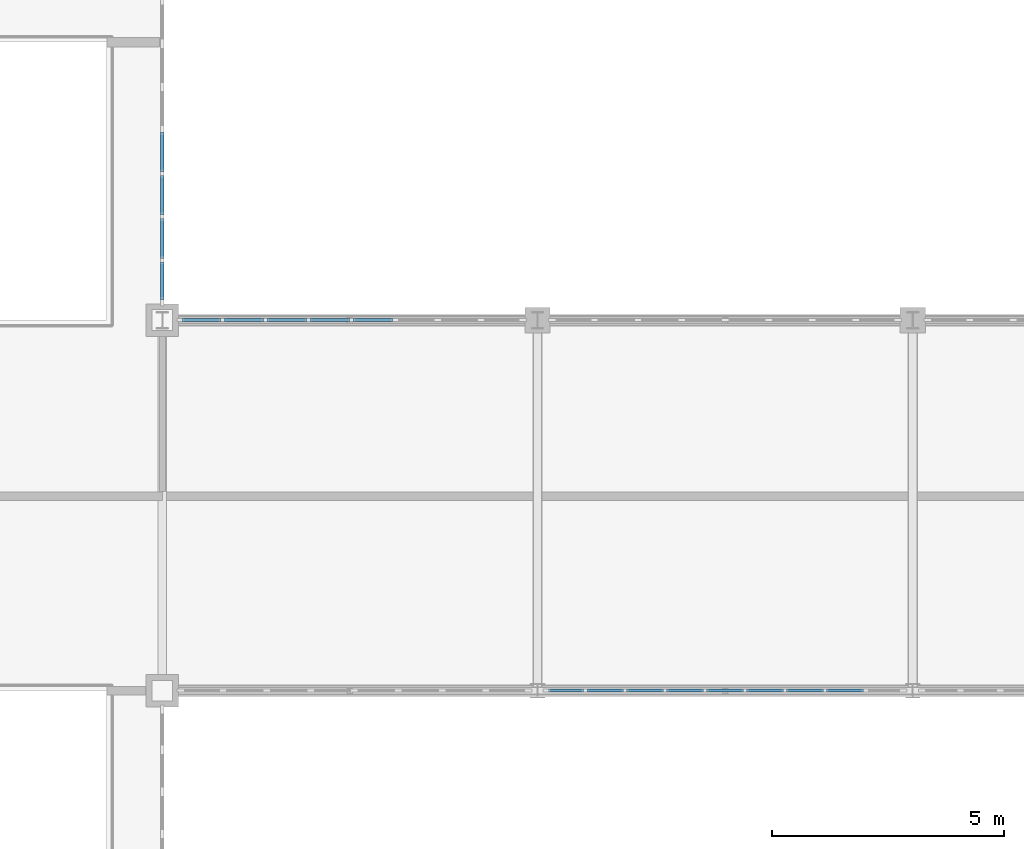
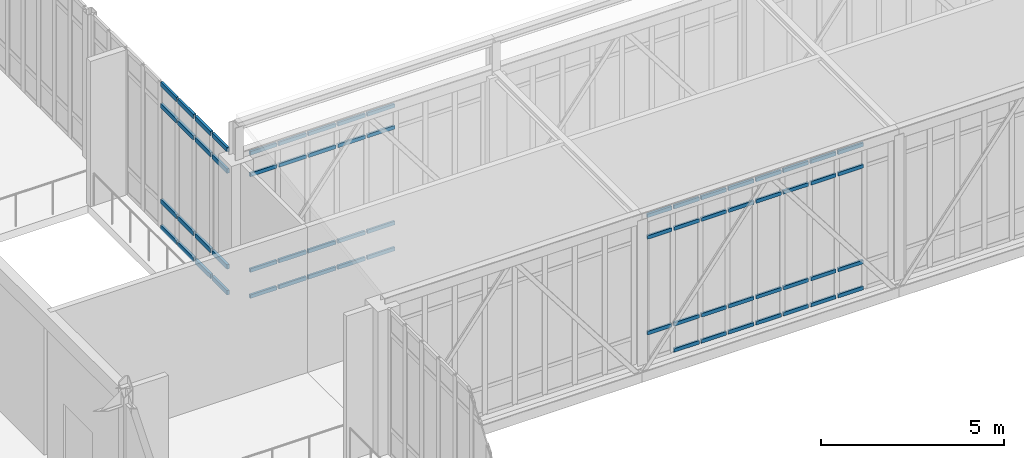
# One storey, part 53 of 107: 67 members, 3 elements without a shape of their own.
"""IFC4 building model written with IfcOpenShell, lengths in metres."""

import ifcopenshell
import ifcopenshell.guid

model = None  # the IFC model being written
_history = None  # IfcOwnerHistory: only IFC2X3 demands one
_inside = {}  # id of a spatial element -> (the spatial element, [elements in it])
_under = {}  # id of a project, library or spatial element -> (it, [spatial elements below it])
_declared = {}  # id of a project -> (the project, [libraries it declares])
_typed = {}  # id of a type object -> (the type object, [elements of that type])
_made_of = {}  # id of a material, layer set ... -> (it, [elements and type objects made of it])


def new_model(schema):
    """Start an empty IFC model of exactly this schema.

    Asked for "IFC4X3", IfcOpenShell would pick the latest addendum, in which some entities
    have other attributes; the version numbers below select the first issue.
    IFC2X3 requires an IfcOwnerHistory on every rooted entity: one is made here for all.
    """
    global model, _history
    if schema == "IFC4X3":
        model = ifcopenshell.file(schema_version=(4, 3, 0, 0))
    else:
        model = ifcopenshell.file(schema=schema)
    _inside.clear()
    _under.clear()
    _declared.clear()
    _typed.clear()
    _made_of.clear()
    _history = None
    if model.schema == "IFC2X3":
        org = make("IfcOrganization", Name="unknown")
        user = make(
            "IfcPersonAndOrganization",
            ThePerson=make("IfcPerson", FamilyName="unknown"),
            TheOrganization=org,
        )
        app = make(
            "IfcApplication",
            ApplicationDeveloper=org,
            Version="unknown",
            ApplicationFullName="unknown",
            ApplicationIdentifier="unknown",
        )
        _history = make(
            "IfcOwnerHistory",
            OwningUser=user,
            OwningApplication=app,
            ChangeAction="ADDED",
            CreationDate=0,
        )
    return model


def make(cls, **values):
    """One entity of the class cls with the attributes given. An attribute that is None is left unset."""
    return model.create_entity(
        cls, **{name: value for name, value in values.items() if value is not None}
    )


def rooted(cls, **values):
    """An entity with a GlobalId (a new one), such as an element, a storey or a relation."""
    return make(cls, GlobalId=ifcopenshell.guid.new(), OwnerHistory=_history, **values)


def si_unit(unit_type, name, prefix=None):
    """IfcSIUnit, for example si_unit("LENGTHUNIT", "METRE", prefix="MILLI")."""
    return make("IfcSIUnit", UnitType=unit_type, Prefix=prefix, Name=name)


def assignment(units):
    """IfcUnitAssignment: the units of a project."""
    return None if units is None else make("IfcUnitAssignment", Units=units)


def point(xyz):
    """IfcCartesianPoint."""
    return None if xyz is None else make("IfcCartesianPoint", Coordinates=xyz)


def direction(xyz):
    """IfcDirection."""
    return None if xyz is None else make("IfcDirection", DirectionRatios=xyz)


def frame(location, z_axis=None, x_axis=None):
    """IfcAxis2Placement3D, a coordinate frame: its origin and axes. An axis left out is left unset."""
    return make(
        "IfcAxis2Placement3D",
        Location=point(location),
        Axis=direction(z_axis),
        RefDirection=direction(x_axis),
    )


def frame_2d(location, x_axis=None):
    """IfcAxis2Placement2D, a coordinate frame in the plane: its origin and x axis."""
    return make(
        "IfcAxis2Placement2D", Location=point(location), RefDirection=direction(x_axis)
    )


def origin():
    """The frame at (0, 0, 0) with its axes left unset."""
    return frame((0.0, 0.0, 0.0))


def origin_2d():
    """The frame at (0, 0) in the plane with its x axis left unset."""
    return frame_2d((0.0, 0.0))


def place(relative_to, where):
    """IfcLocalPlacement: puts the frame where relative to a parent placement (None: the world)."""
    return make(
        "IfcLocalPlacement", PlacementRelTo=relative_to, RelativePlacement=where
    )


def context(
    kind, dimensions, precision=None, world=None, true_north=None, identifier=None
):
    """IfcGeometricRepresentationContext, for example the 3D "Model" context."""
    return make(
        "IfcGeometricRepresentationContext",
        ContextIdentifier=identifier,
        ContextType=kind,
        CoordinateSpaceDimension=dimensions,
        Precision=precision,
        WorldCoordinateSystem=world,
        TrueNorth=true_north,
    )


def subcontext(parent, identifier, kind, view, scale=None):
    """IfcGeometricRepresentationSubContext, for example "Body" below "Model"."""
    return make(
        "IfcGeometricRepresentationSubContext",
        ContextIdentifier=identifier,
        ContextType=kind,
        ParentContext=parent,
        TargetScale=scale,
        TargetView=view,
    )


def project(units=None, contexts=None):
    """IfcProject with its units and contexts."""
    return rooted(
        "IfcProject",
        Name="project",
        RepresentationContexts=contexts,
        UnitsInContext=assignment(units),
    )


def spatial(cls, under=None, at=None, **own):
    """A site, building, storey or space (cls), placed at a placement, below another one or the project."""
    s = rooted(cls, ObjectPlacement=at, **own)
    if under is not None:
        _under.setdefault(under.id(), (under, []))[1].append(s)
    return s


def profile(cls, at=None, kind="AREA", **sizes):
    """A parametric profile (cls). Its sizes go by their IFC names, for example OverallWidth=200.0."""
    return make(cls, ProfileType=kind, Position=at, **sizes)


def rectangle(**sizes):
    """IfcRectangleProfileDef."""
    return profile("IfcRectangleProfileDef", **sizes)


def extrude(swept, where, along, depth):
    """IfcExtrudedAreaSolid: the profile swept, set in the frame where, extruded along a direction by depth."""
    return make(
        "IfcExtrudedAreaSolid",
        SweptArea=swept,
        Position=where,
        ExtrudedDirection=direction(along),
        Depth=depth,
    )


def shape(context_of_items, identifier, shape_type, items):
    """IfcShapeRepresentation: the items that make up one representation, for example the "Body"."""
    return make(
        "IfcShapeRepresentation",
        ContextOfItems=context_of_items,
        RepresentationIdentifier=identifier,
        RepresentationType=shape_type,
        Items=items,
    )


def material(Name=None, Category=None):
    """IfcMaterial."""
    return make("IfcMaterial", Name=Name, Category=Category)


def material_profile(
    of_material, cross_section, Name=None, Category=None, Priority=None
):
    """IfcMaterialProfile: a cross section and its material."""
    return make(
        "IfcMaterialProfile",
        Name=Name,
        Material=of_material,
        Profile=cross_section,
        Priority=Priority,
        Category=Category,
    )


def profile_set(profiles, Name=None, composite=None):
    """IfcMaterialProfileSet."""
    return make(
        "IfcMaterialProfileSet",
        Name=Name,
        MaterialProfiles=profiles,
        CompositeProfile=composite,
    )


def made_of(thing, what):
    """Note that an element or type object is made of a material, layer set ...; save() writes the relation."""
    if what is not None:
        _made_of.setdefault(what.id(), (what, []))[1].append(thing)
    return thing


def type_object(cls, material=None, **own):
    """A type object (cls), such as IfcWallType, which elements share."""
    return made_of(rooted(cls, **own), material)


def element(
    cls,
    number,
    at=None,
    inside=None,
    cuts=None,
    type_object=None,
    material=None,
    context=None,
    identifier="Body",
    shape_type=None,
    held_by="IfcProductDefinitionShape",
    body=None,
    shapes=None,
    **own,
):
    """One element of the class cls, such as IfcWall. Its Tag is "e" and its number.

    at: its placement. inside: the storey or other place that contains it. cuts: it is an
    opening in that element (IfcRelVoidsElement). A single representation is given by context,
    identifier, shape_type and body (its items); several are given by shapes. held_by: the class
    of the entity that holds the representations. save() writes the other relations.
    """
    e = rooted(cls, Tag="e%d" % number, ObjectPlacement=at, **own)
    if body is not None:
        shapes = [shape(context, identifier, shape_type, body)]
    if shapes is not None:
        e.Representation = make(held_by, Representations=shapes)
    if inside is not None:
        _inside.setdefault(inside.id(), (inside, []))[1].append(e)
    if cuts is not None:
        rooted(
            "IfcRelVoidsElement", RelatingBuildingElement=cuts, RelatedOpeningElement=e
        )
    if type_object is not None:
        _typed.setdefault(type_object.id(), (type_object, []))[1].append(e)
    return made_of(e, material)


def aggregate(whole, parts):
    """IfcRelAggregates: a whole, such as a stair, and the parts it consists of."""
    return rooted("IfcRelAggregates", RelatingObject=whole, RelatedObjects=parts)


def save(model, path):
    """Write the relations noted so far, then the file.

    IfcRelAggregates (storeys below a building ...), IfcRelContainedInSpatialStructure (elements
    in a storey), IfcRelDefinesByType, IfcRelAssociatesMaterial and IfcRelDeclares: one each for
    every whole, place, type object, material and project.
    """
    for whole, parts in _under.values():
        aggregate(whole, parts)
    for where, things in _inside.values():
        rooted(
            "IfcRelContainedInSpatialStructure",
            RelatedElements=things,
            RelatingStructure=where,
        )
    for kind, things in _typed.values():
        rooted("IfcRelDefinesByType", RelatedObjects=things, RelatingType=kind)
    for what, things in _made_of.values():
        rooted("IfcRelAssociatesMaterial", RelatedObjects=things, RelatingMaterial=what)
    for by, libraries in _declared.values():
        rooted("IfcRelDeclares", RelatingContext=by, RelatedDefinitions=libraries)
    model.write(path)


model = new_model("IFC4")

# Units and contexts
model_context = context("Model", 3, precision=1e-05, world=origin(), true_north=direction((0.0, 1.0)))
body_context = subcontext(model_context, "Body", "Model", "MODEL_VIEW")
ifc_project = project(units=[si_unit("LENGTHUNIT", "METRE"), si_unit("AREAUNIT", "SQUARE_METRE"), si_unit("VOLUMEUNIT", "CUBIC_METRE"), si_unit("PLANEANGLEUNIT", "RADIAN"), si_unit("MASSUNIT", "GRAM", prefix="KILO")], contexts=[model_context])

# Site, building, storey
site_placement = place(None, origin())
site = spatial("IfcSite", under=ifc_project, at=site_placement, CompositionType="ELEMENT")
building_placement = place(site_placement, origin())
building = spatial("IfcBuilding", under=site, at=building_placement, Name="Tarnveldt Square Police Headquarters", CompositionType="ELEMENT")
storey_placement = place(building_placement, frame((0.0, 0.0, 14.699951171875)))
storey = spatial("IfcBuildingStorey", under=building, at=storey_placement, Name="L03", CompositionType="ELEMENT", Elevation=14.699951171875)

# Curtain wall, members
ifc_material_1 = material(Name="Triple-glazed low-e laminated vision glass", Category="glass")
curtain_wall_type_1 = type_object("IfcCurtainWallType", Name="CW-SB-776x484", PredefinedType="USERDEFINED", material=ifc_material_1)
curtain_wall_1_placement = place(storey_placement, origin())
curtain_wall_1 = element("IfcCurtainWall", 1, at=curtain_wall_1_placement, inside=storey, type_object=curtain_wall_type_1, Name="L03 Curtain Wall CW-L03-153", ObjectType="GLAZED CURTAIN WALL", PredefinedType="USERDEFINED")
ifc_material_2 = material(Name="Thermally broken anodised aluminium 6063-T6", Category="aluminium")
ifc_material_profile_1 = material_profile(ifc_material_2, rectangle(XDim=0.06494140625, YDim=0.1201171875, at=origin_2d()), Name="CW-T65x120")
ifc_profile_set_1 = profile_set([ifc_material_profile_1], Name="Thermally broken anodised aluminium 6063-T6")
member_type_1 = type_object("IfcMemberType", Name="CWT-65x120", PredefinedType="USERDEFINED", material=ifc_profile_set_1)
member_1_placement = place(storey_placement, frame((56.93408203125, 72.0, 0.900146484375), z_axis=(1.0, 0.0, 0.0), x_axis=(0.0, 1.0, 0.0)))
member_1 = element("IfcMember", 2, at=member_1_placement, type_object=member_type_1, Name="CW-SB90 transom 1.2", ObjectType="TRANSOM", PredefinedType="USERDEFINED", context=body_context, shape_type="SweptSolid", body=[
    extrude(rectangle(XDim=0.06494140625, YDim=0.1201171875, at=origin_2d()), origin(), (0.0, 0.0, 1.0), 0.764892578125),
])
member_2_placement = place(storey_placement, frame((56.93408203125, 72.0, 4.090087890625), z_axis=(1.0, 0.0, 0.0), x_axis=(0.0, 1.0, 0.0)))
member_2 = element("IfcMember", 3, at=member_2_placement, type_object=member_type_1, Name="CW-SB90 transom 1.3", ObjectType="TRANSOM", PredefinedType="USERDEFINED", context=body_context, shape_type="SweptSolid", body=[
    extrude(rectangle(XDim=0.06494140625, YDim=0.1201171875, at=origin_2d()), origin(), (0.0, 0.0, 1.0), 0.764892578125),
])
member_3_placement = place(storey_placement, frame((56.93408203125, 72.0, 4.8076171875), z_axis=(1.0, 0.0, 0.0), x_axis=(0.0, 1.0, 0.0)))
member_3 = element("IfcMember", 4, at=member_3_placement, type_object=member_type_1, Name="CW-SB90 transom 1.4", ObjectType="TRANSOM", PredefinedType="USERDEFINED", context=body_context, shape_type="SweptSolid", body=[
    extrude(rectangle(XDim=0.06494140625, YDim=0.1201171875, at=origin_2d()), origin(), (0.0, 0.0, 1.0), 0.764892578125),
])
member_4_placement = place(storey_placement, frame((57.763916015625, 72.0, 0.032470703125), z_axis=(1.0, 0.0, 0.0), x_axis=(0.0, 1.0, 0.0)))
member_4 = element("IfcMember", 5, at=member_4_placement, type_object=member_type_1, Name="CW-SB90 transom 2.1", ObjectType="TRANSOM", PredefinedType="USERDEFINED", context=body_context, shape_type="SweptSolid", body=[
    extrude(rectangle(XDim=0.06494140625, YDim=0.1201171875, at=origin_2d()), origin(), (0.0, 0.0, 1.0), 0.79736328125),
])
member_5_placement = place(storey_placement, frame((57.763916015625, 72.0, 0.900146484375), z_axis=(1.0, 0.0, 0.0), x_axis=(0.0, 1.0, 0.0)))
member_5 = element("IfcMember", 6, at=member_5_placement, type_object=member_type_1, Name="CW-SB90 transom 2.2", ObjectType="TRANSOM", PredefinedType="USERDEFINED", context=body_context, shape_type="SweptSolid", body=[
    extrude(rectangle(XDim=0.06494140625, YDim=0.1201171875, at=origin_2d()), origin(), (0.0, 0.0, 1.0), 0.79736328125),
])
member_6_placement = place(storey_placement, frame((57.763916015625, 72.0, 4.090087890625), z_axis=(1.0, 0.0, 0.0), x_axis=(0.0, 1.0, 0.0)))
member_6 = element("IfcMember", 7, at=member_6_placement, type_object=member_type_1, Name="CW-SB90 transom 2.3", ObjectType="TRANSOM", PredefinedType="USERDEFINED", context=body_context, shape_type="SweptSolid", body=[
    extrude(rectangle(XDim=0.06494140625, YDim=0.1201171875, at=origin_2d()), origin(), (0.0, 0.0, 1.0), 0.79736328125),
])
member_7_placement = place(storey_placement, frame((57.763916015625, 72.0, 4.8076171875), z_axis=(1.0, 0.0, 0.0), x_axis=(0.0, 1.0, 0.0)))
member_7 = element("IfcMember", 8, at=member_7_placement, type_object=member_type_1, Name="CW-SB90 transom 2.4", ObjectType="TRANSOM", PredefinedType="USERDEFINED", context=body_context, shape_type="SweptSolid", body=[
    extrude(rectangle(XDim=0.06494140625, YDim=0.1201171875, at=origin_2d()), origin(), (0.0, 0.0, 1.0), 0.79736328125),
])
member_8_placement = place(storey_placement, frame((58.62646484375, 72.0, 0.032470703125), z_axis=(1.0, 0.0, 0.0), x_axis=(0.0, 1.0, 0.0)))
member_8 = element("IfcMember", 9, at=member_8_placement, type_object=member_type_1, Name="CW-SB90 transom 3.1", ObjectType="TRANSOM", PredefinedType="USERDEFINED", context=body_context, shape_type="SweptSolid", body=[
    extrude(rectangle(XDim=0.06494140625, YDim=0.1201171875, at=origin_2d()), origin(), (0.0, 0.0, 1.0), 0.79736328125),
])
member_9_placement = place(storey_placement, frame((58.62646484375, 72.0, 0.900146484375), z_axis=(1.0, 0.0, 0.0), x_axis=(0.0, 1.0, 0.0)))
member_9 = element("IfcMember", 10, at=member_9_placement, type_object=member_type_1, Name="CW-SB90 transom 3.2", ObjectType="TRANSOM", PredefinedType="USERDEFINED", context=body_context, shape_type="SweptSolid", body=[
    extrude(rectangle(XDim=0.06494140625, YDim=0.1201171875, at=origin_2d()), origin(), (0.0, 0.0, 1.0), 0.79736328125),
])
member_10_placement = place(storey_placement, frame((58.62646484375, 72.0, 4.090087890625), z_axis=(1.0, 0.0, 0.0), x_axis=(0.0, 1.0, 0.0)))
member_10 = element("IfcMember", 11, at=member_10_placement, type_object=member_type_1, Name="CW-SB90 transom 3.3", ObjectType="TRANSOM", PredefinedType="USERDEFINED", context=body_context, shape_type="SweptSolid", body=[
    extrude(rectangle(XDim=0.06494140625, YDim=0.1201171875, at=origin_2d()), origin(), (0.0, 0.0, 1.0), 0.79736328125),
])
member_11_placement = place(storey_placement, frame((58.62646484375, 72.0, 4.8076171875), z_axis=(1.0, 0.0, 0.0), x_axis=(0.0, 1.0, 0.0)))
member_11 = element("IfcMember", 12, at=member_11_placement, type_object=member_type_1, Name="CW-SB90 transom 3.4", ObjectType="TRANSOM", PredefinedType="USERDEFINED", context=body_context, shape_type="SweptSolid", body=[
    extrude(rectangle(XDim=0.06494140625, YDim=0.1201171875, at=origin_2d()), origin(), (0.0, 0.0, 1.0), 0.79736328125),
])
member_12_placement = place(storey_placement, frame((59.48876953125, 72.0, 0.032470703125), z_axis=(1.0, 0.0, 0.0), x_axis=(0.0, 1.0, 0.0)))
member_12 = element("IfcMember", 13, at=member_12_placement, type_object=member_type_1, Name="CW-SB90 transom 4.1", ObjectType="TRANSOM", PredefinedType="USERDEFINED", context=body_context, shape_type="SweptSolid", body=[
    extrude(rectangle(XDim=0.06494140625, YDim=0.1201171875, at=origin_2d()), origin(), (0.0, 0.0, 1.0), 0.797607421875),
])
member_13_placement = place(storey_placement, frame((59.48876953125, 72.0, 0.900146484375), z_axis=(1.0, 0.0, 0.0), x_axis=(0.0, 1.0, 0.0)))
member_13 = element("IfcMember", 14, at=member_13_placement, type_object=member_type_1, Name="CW-SB90 transom 4.2", ObjectType="TRANSOM", PredefinedType="USERDEFINED", context=body_context, shape_type="SweptSolid", body=[
    extrude(rectangle(XDim=0.06494140625, YDim=0.1201171875, at=origin_2d()), origin(), (0.0, 0.0, 1.0), 0.797607421875),
])
member_14_placement = place(storey_placement, frame((59.48876953125, 72.0, 4.090087890625), z_axis=(1.0, 0.0, 0.0), x_axis=(0.0, 1.0, 0.0)))
member_14 = element("IfcMember", 15, at=member_14_placement, type_object=member_type_1, Name="CW-SB90 transom 4.3", ObjectType="TRANSOM", PredefinedType="USERDEFINED", context=body_context, shape_type="SweptSolid", body=[
    extrude(rectangle(XDim=0.06494140625, YDim=0.1201171875, at=origin_2d()), origin(), (0.0, 0.0, 1.0), 0.797607421875),
])
member_15_placement = place(storey_placement, frame((59.48876953125, 72.0, 4.8076171875), z_axis=(1.0, 0.0, 0.0), x_axis=(0.0, 1.0, 0.0)))
member_15 = element("IfcMember", 16, at=member_15_placement, type_object=member_type_1, Name="CW-SB90 transom 4.4", ObjectType="TRANSOM", PredefinedType="USERDEFINED", context=body_context, shape_type="SweptSolid", body=[
    extrude(rectangle(XDim=0.06494140625, YDim=0.1201171875, at=origin_2d()), origin(), (0.0, 0.0, 1.0), 0.797607421875),
])
member_16_placement = place(storey_placement, frame((60.351318359375, 72.0, 0.032470703125), z_axis=(1.0, 0.0, 0.0), x_axis=(0.0, 1.0, 0.0)))
member_16 = element("IfcMember", 17, at=member_16_placement, type_object=member_type_1, Name="CW-SB90 transom 5.1", ObjectType="TRANSOM", PredefinedType="USERDEFINED", context=body_context, shape_type="SweptSolid", body=[
    extrude(rectangle(XDim=0.06494140625, YDim=0.1201171875, at=origin_2d()), origin(), (0.0, 0.0, 1.0), 0.79736328125),
])
member_17_placement = place(storey_placement, frame((60.351318359375, 72.0, 0.900146484375), z_axis=(1.0, 0.0, 0.0), x_axis=(0.0, 1.0, 0.0)))
member_17 = element("IfcMember", 18, at=member_17_placement, type_object=member_type_1, Name="CW-SB90 transom 5.2", ObjectType="TRANSOM", PredefinedType="USERDEFINED", context=body_context, shape_type="SweptSolid", body=[
    extrude(rectangle(XDim=0.06494140625, YDim=0.1201171875, at=origin_2d()), origin(), (0.0, 0.0, 1.0), 0.79736328125),
])
member_18_placement = place(storey_placement, frame((60.351318359375, 72.0, 4.090087890625), z_axis=(1.0, 0.0, 0.0), x_axis=(0.0, 1.0, 0.0)))
member_18 = element("IfcMember", 19, at=member_18_placement, type_object=member_type_1, Name="CW-SB90 transom 5.3", ObjectType="TRANSOM", PredefinedType="USERDEFINED", context=body_context, shape_type="SweptSolid", body=[
    extrude(rectangle(XDim=0.06494140625, YDim=0.1201171875, at=origin_2d()), origin(), (0.0, 0.0, 1.0), 0.79736328125),
])
member_19_placement = place(storey_placement, frame((60.351318359375, 72.0, 4.8076171875), z_axis=(1.0, 0.0, 0.0), x_axis=(0.0, 1.0, 0.0)))
member_19 = element("IfcMember", 20, at=member_19_placement, type_object=member_type_1, Name="CW-SB90 transom 5.4", ObjectType="TRANSOM", PredefinedType="USERDEFINED", context=body_context, shape_type="SweptSolid", body=[
    extrude(rectangle(XDim=0.06494140625, YDim=0.1201171875, at=origin_2d()), origin(), (0.0, 0.0, 1.0), 0.79736328125),
])
member_20_placement = place(storey_placement, frame((61.213623046875, 72.0, 0.032470703125), z_axis=(1.0, 0.0, 0.0), x_axis=(0.0, 1.0, 0.0)))
member_20 = element("IfcMember", 21, at=member_20_placement, type_object=member_type_1, Name="CW-SB90 transom 6.1", ObjectType="TRANSOM", PredefinedType="USERDEFINED", context=body_context, shape_type="SweptSolid", body=[
    extrude(rectangle(XDim=0.06494140625, YDim=0.1201171875, at=origin_2d()), origin(), (0.0, 0.0, 1.0), 0.797607421875),
])
member_21_placement = place(storey_placement, frame((61.213623046875, 72.0, 0.900146484375), z_axis=(1.0, 0.0, 0.0), x_axis=(0.0, 1.0, 0.0)))
member_21 = element("IfcMember", 22, at=member_21_placement, type_object=member_type_1, Name="CW-SB90 transom 6.2", ObjectType="TRANSOM", PredefinedType="USERDEFINED", context=body_context, shape_type="SweptSolid", body=[
    extrude(rectangle(XDim=0.06494140625, YDim=0.1201171875, at=origin_2d()), origin(), (0.0, 0.0, 1.0), 0.797607421875),
])
member_22_placement = place(storey_placement, frame((61.213623046875, 72.0, 4.090087890625), z_axis=(1.0, 0.0, 0.0), x_axis=(0.0, 1.0, 0.0)))
member_22 = element("IfcMember", 23, at=member_22_placement, type_object=member_type_1, Name="CW-SB90 transom 6.3", ObjectType="TRANSOM", PredefinedType="USERDEFINED", context=body_context, shape_type="SweptSolid", body=[
    extrude(rectangle(XDim=0.06494140625, YDim=0.1201171875, at=origin_2d()), origin(), (0.0, 0.0, 1.0), 0.797607421875),
])
member_23_placement = place(storey_placement, frame((61.213623046875, 72.0, 4.8076171875), z_axis=(1.0, 0.0, 0.0), x_axis=(0.0, 1.0, 0.0)))
member_23 = element("IfcMember", 24, at=member_23_placement, type_object=member_type_1, Name="CW-SB90 transom 6.4", ObjectType="TRANSOM", PredefinedType="USERDEFINED", context=body_context, shape_type="SweptSolid", body=[
    extrude(rectangle(XDim=0.06494140625, YDim=0.1201171875, at=origin_2d()), origin(), (0.0, 0.0, 1.0), 0.797607421875),
])
member_24_placement = place(storey_placement, frame((62.076171875, 72.0, 0.032470703125), z_axis=(1.0, 0.0, 0.0), x_axis=(0.0, 1.0, 0.0)))
member_24 = element("IfcMember", 25, at=member_24_placement, type_object=member_type_1, Name="CW-SB90 transom 7.1", ObjectType="TRANSOM", PredefinedType="USERDEFINED", context=body_context, shape_type="SweptSolid", body=[
    extrude(rectangle(XDim=0.06494140625, YDim=0.1201171875, at=origin_2d()), origin(), (0.0, 0.0, 1.0), 0.79736328125),
])
member_25_placement = place(storey_placement, frame((62.076171875, 72.0, 0.900146484375), z_axis=(1.0, 0.0, 0.0), x_axis=(0.0, 1.0, 0.0)))
member_25 = element("IfcMember", 26, at=member_25_placement, type_object=member_type_1, Name="CW-SB90 transom 7.2", ObjectType="TRANSOM", PredefinedType="USERDEFINED", context=body_context, shape_type="SweptSolid", body=[
    extrude(rectangle(XDim=0.06494140625, YDim=0.1201171875, at=origin_2d()), origin(), (0.0, 0.0, 1.0), 0.79736328125),
])
member_26_placement = place(storey_placement, frame((62.076171875, 72.0, 4.090087890625), z_axis=(1.0, 0.0, 0.0), x_axis=(0.0, 1.0, 0.0)))
member_26 = element("IfcMember", 27, at=member_26_placement, type_object=member_type_1, Name="CW-SB90 transom 7.3", ObjectType="TRANSOM", PredefinedType="USERDEFINED", context=body_context, shape_type="SweptSolid", body=[
    extrude(rectangle(XDim=0.06494140625, YDim=0.1201171875, at=origin_2d()), origin(), (0.0, 0.0, 1.0), 0.79736328125),
])
member_27_placement = place(storey_placement, frame((62.076171875, 72.0, 4.8076171875), z_axis=(1.0, 0.0, 0.0), x_axis=(0.0, 1.0, 0.0)))
member_27 = element("IfcMember", 28, at=member_27_placement, type_object=member_type_1, Name="CW-SB90 transom 7.4", ObjectType="TRANSOM", PredefinedType="USERDEFINED", context=body_context, shape_type="SweptSolid", body=[
    extrude(rectangle(XDim=0.06494140625, YDim=0.1201171875, at=origin_2d()), origin(), (0.0, 0.0, 1.0), 0.79736328125),
])
member_28_placement = place(storey_placement, frame((62.938720703125, 72.0, 0.032470703125), z_axis=(1.0, 0.0, 0.0), x_axis=(0.0, 1.0, 0.0)))
member_28 = element("IfcMember", 29, at=member_28_placement, type_object=member_type_1, Name="CW-SB90 transom 8.1", ObjectType="TRANSOM", PredefinedType="USERDEFINED", context=body_context, shape_type="SweptSolid", body=[
    extrude(rectangle(XDim=0.06494140625, YDim=0.1201171875, at=origin_2d()), origin(), (0.0, 0.0, 1.0), 0.79736328125),
])
member_29_placement = place(storey_placement, frame((62.938720703125, 72.0, 0.900146484375), z_axis=(1.0, 0.0, 0.0), x_axis=(0.0, 1.0, 0.0)))
member_29 = element("IfcMember", 30, at=member_29_placement, type_object=member_type_1, Name="CW-SB90 transom 8.2", ObjectType="TRANSOM", PredefinedType="USERDEFINED", context=body_context, shape_type="SweptSolid", body=[
    extrude(rectangle(XDim=0.06494140625, YDim=0.1201171875, at=origin_2d()), origin(), (0.0, 0.0, 1.0), 0.79736328125),
])
member_30_placement = place(storey_placement, frame((62.938720703125, 72.0, 4.090087890625), z_axis=(1.0, 0.0, 0.0), x_axis=(0.0, 1.0, 0.0)))
member_30 = element("IfcMember", 31, at=member_30_placement, type_object=member_type_1, Name="CW-SB90 transom 8.3", ObjectType="TRANSOM", PredefinedType="USERDEFINED", context=body_context, shape_type="SweptSolid", body=[
    extrude(rectangle(XDim=0.06494140625, YDim=0.1201171875, at=origin_2d()), origin(), (0.0, 0.0, 1.0), 0.79736328125),
])
member_31_placement = place(storey_placement, frame((62.938720703125, 72.0, 4.8076171875), z_axis=(1.0, 0.0, 0.0), x_axis=(0.0, 1.0, 0.0)))
member_31 = element("IfcMember", 32, at=member_31_placement, type_object=member_type_1, Name="CW-SB90 transom 8.4", ObjectType="TRANSOM", PredefinedType="USERDEFINED", context=body_context, shape_type="SweptSolid", body=[
    extrude(rectangle(XDim=0.06494140625, YDim=0.1201171875, at=origin_2d()), origin(), (0.0, 0.0, 1.0), 0.79736328125),
])
aggregate(curtain_wall_1, [member_1, member_2, member_3, member_4, member_5, member_6, member_7, member_8, member_9, member_10, member_11, member_12, member_13, member_14, member_15, member_16, member_17, member_18, member_19, member_20, member_21, member_22, member_23, member_24, member_25, member_26, member_27, member_28, member_29, member_30, member_31])

curtain_wall_type_2 = type_object("IfcCurtainWallType", Name="CW-SB-744x484", PredefinedType="USERDEFINED", material=ifc_material_1)
curtain_wall_2_placement = place(storey_placement, origin())
curtain_wall_2 = element("IfcCurtainWall", 33, at=curtain_wall_2_placement, inside=storey, type_object=curtain_wall_type_2, Name="L03 Curtain Wall CW-L03-159", ObjectType="GLAZED CURTAIN WALL", PredefinedType="USERDEFINED")
member_32_placement = place(storey_placement, frame((49.030029296875, 80.0, 0.032470703125), z_axis=(1.0, 0.0, 0.0), x_axis=(0.0, 1.0, 0.0)))
member_32 = element("IfcMember", 34, at=member_32_placement, type_object=member_type_1, Name="CW-SB94 transom 1.1", ObjectType="TRANSOM", PredefinedType="USERDEFINED", context=body_context, shape_type="SweptSolid", body=[
    extrude(rectangle(XDim=0.06494140625, YDim=0.1201171875, at=origin_2d()), origin(), (0.0, 0.0, 1.0), 0.8330078125),
])
member_33_placement = place(storey_placement, frame((49.030029296875, 80.0, 0.900146484375), z_axis=(1.0, 0.0, 0.0), x_axis=(0.0, 1.0, 0.0)))
member_33 = element("IfcMember", 35, at=member_33_placement, type_object=member_type_1, Name="CW-SB94 transom 1.2", ObjectType="TRANSOM", PredefinedType="USERDEFINED", context=body_context, shape_type="SweptSolid", body=[
    extrude(rectangle(XDim=0.06494140625, YDim=0.1201171875, at=origin_2d()), origin(), (0.0, 0.0, 1.0), 0.8330078125),
])
member_34_placement = place(storey_placement, frame((49.030029296875, 80.0, 4.090087890625), z_axis=(1.0, 0.0, 0.0), x_axis=(0.0, 1.0, 0.0)))
member_34 = element("IfcMember", 36, at=member_34_placement, type_object=member_type_1, Name="CW-SB94 transom 1.3", ObjectType="TRANSOM", PredefinedType="USERDEFINED", context=body_context, shape_type="SweptSolid", body=[
    extrude(rectangle(XDim=0.06494140625, YDim=0.1201171875, at=origin_2d()), origin(), (0.0, 0.0, 1.0), 0.8330078125),
])
member_35_placement = place(storey_placement, frame((49.030029296875, 80.0, 4.8076171875), z_axis=(1.0, 0.0, 0.0), x_axis=(0.0, 1.0, 0.0)))
member_35 = element("IfcMember", 37, at=member_35_placement, type_object=member_type_1, Name="CW-SB94 transom 1.4", ObjectType="TRANSOM", PredefinedType="USERDEFINED", context=body_context, shape_type="SweptSolid", body=[
    extrude(rectangle(XDim=0.06494140625, YDim=0.1201171875, at=origin_2d()), origin(), (0.0, 0.0, 1.0), 0.8330078125),
])
member_36_placement = place(storey_placement, frame((49.92822265625, 80.0, 0.032470703125), z_axis=(1.0, 0.0, 0.0), x_axis=(0.0, 1.0, 0.0)))
member_36 = element("IfcMember", 38, at=member_36_placement, type_object=member_type_1, Name="CW-SB94 transom 2.1", ObjectType="TRANSOM", PredefinedType="USERDEFINED", context=body_context, shape_type="SweptSolid", body=[
    extrude(rectangle(XDim=0.06494140625, YDim=0.1201171875, at=origin_2d()), origin(), (0.0, 0.0, 1.0), 0.865478515625),
])
member_37_placement = place(storey_placement, frame((49.92822265625, 80.0, 0.900146484375), z_axis=(1.0, 0.0, 0.0), x_axis=(0.0, 1.0, 0.0)))
member_37 = element("IfcMember", 39, at=member_37_placement, type_object=member_type_1, Name="CW-SB94 transom 2.2", ObjectType="TRANSOM", PredefinedType="USERDEFINED", context=body_context, shape_type="SweptSolid", body=[
    extrude(rectangle(XDim=0.06494140625, YDim=0.1201171875, at=origin_2d()), origin(), (0.0, 0.0, 1.0), 0.865478515625),
])
member_38_placement = place(storey_placement, frame((49.92822265625, 80.0, 4.090087890625), z_axis=(1.0, 0.0, 0.0), x_axis=(0.0, 1.0, 0.0)))
member_38 = element("IfcMember", 40, at=member_38_placement, type_object=member_type_1, Name="CW-SB94 transom 2.3", ObjectType="TRANSOM", PredefinedType="USERDEFINED", context=body_context, shape_type="SweptSolid", body=[
    extrude(rectangle(XDim=0.06494140625, YDim=0.1201171875, at=origin_2d()), origin(), (0.0, 0.0, 1.0), 0.865478515625),
])
member_39_placement = place(storey_placement, frame((49.92822265625, 80.0, 4.8076171875), z_axis=(1.0, 0.0, 0.0), x_axis=(0.0, 1.0, 0.0)))
member_39 = element("IfcMember", 41, at=member_39_placement, type_object=member_type_1, Name="CW-SB94 transom 2.4", ObjectType="TRANSOM", PredefinedType="USERDEFINED", context=body_context, shape_type="SweptSolid", body=[
    extrude(rectangle(XDim=0.06494140625, YDim=0.1201171875, at=origin_2d()), origin(), (0.0, 0.0, 1.0), 0.865478515625),
])
member_40_placement = place(storey_placement, frame((50.858642578125, 80.0, 0.032470703125), z_axis=(1.0, 0.0, 0.0), x_axis=(0.0, 1.0, 0.0)))
member_40 = element("IfcMember", 42, at=member_40_placement, type_object=member_type_1, Name="CW-SB94 transom 3.1", ObjectType="TRANSOM", PredefinedType="USERDEFINED", context=body_context, shape_type="SweptSolid", body=[
    extrude(rectangle(XDim=0.06494140625, YDim=0.1201171875, at=origin_2d()), origin(), (0.0, 0.0, 1.0), 0.86572265625),
])
member_41_placement = place(storey_placement, frame((50.858642578125, 80.0, 0.900146484375), z_axis=(1.0, 0.0, 0.0), x_axis=(0.0, 1.0, 0.0)))
member_41 = element("IfcMember", 43, at=member_41_placement, type_object=member_type_1, Name="CW-SB94 transom 3.2", ObjectType="TRANSOM", PredefinedType="USERDEFINED", context=body_context, shape_type="SweptSolid", body=[
    extrude(rectangle(XDim=0.06494140625, YDim=0.1201171875, at=origin_2d()), origin(), (0.0, 0.0, 1.0), 0.86572265625),
])
member_42_placement = place(storey_placement, frame((50.858642578125, 80.0, 4.090087890625), z_axis=(1.0, 0.0, 0.0), x_axis=(0.0, 1.0, 0.0)))
member_42 = element("IfcMember", 44, at=member_42_placement, type_object=member_type_1, Name="CW-SB94 transom 3.3", ObjectType="TRANSOM", PredefinedType="USERDEFINED", context=body_context, shape_type="SweptSolid", body=[
    extrude(rectangle(XDim=0.06494140625, YDim=0.1201171875, at=origin_2d()), origin(), (0.0, 0.0, 1.0), 0.86572265625),
])
member_43_placement = place(storey_placement, frame((50.858642578125, 80.0, 4.8076171875), z_axis=(1.0, 0.0, 0.0), x_axis=(0.0, 1.0, 0.0)))
member_43 = element("IfcMember", 45, at=member_43_placement, type_object=member_type_1, Name="CW-SB94 transom 3.4", ObjectType="TRANSOM", PredefinedType="USERDEFINED", context=body_context, shape_type="SweptSolid", body=[
    extrude(rectangle(XDim=0.06494140625, YDim=0.1201171875, at=origin_2d()), origin(), (0.0, 0.0, 1.0), 0.86572265625),
])
member_44_placement = place(storey_placement, frame((51.789306640625, 80.0, 0.032470703125), z_axis=(1.0, 0.0, 0.0), x_axis=(0.0, 1.0, 0.0)))
member_44 = element("IfcMember", 46, at=member_44_placement, type_object=member_type_1, Name="CW-SB94 transom 4.1", ObjectType="TRANSOM", PredefinedType="USERDEFINED", context=body_context, shape_type="SweptSolid", body=[
    extrude(rectangle(XDim=0.06494140625, YDim=0.1201171875, at=origin_2d()), origin(), (0.0, 0.0, 1.0), 0.86572265625),
])
member_45_placement = place(storey_placement, frame((51.789306640625, 80.0, 0.900146484375), z_axis=(1.0, 0.0, 0.0), x_axis=(0.0, 1.0, 0.0)))
member_45 = element("IfcMember", 47, at=member_45_placement, type_object=member_type_1, Name="CW-SB94 transom 4.2", ObjectType="TRANSOM", PredefinedType="USERDEFINED", context=body_context, shape_type="SweptSolid", body=[
    extrude(rectangle(XDim=0.06494140625, YDim=0.1201171875, at=origin_2d()), origin(), (0.0, 0.0, 1.0), 0.86572265625),
])
member_46_placement = place(storey_placement, frame((51.789306640625, 80.0, 4.090087890625), z_axis=(1.0, 0.0, 0.0), x_axis=(0.0, 1.0, 0.0)))
member_46 = element("IfcMember", 48, at=member_46_placement, type_object=member_type_1, Name="CW-SB94 transom 4.3", ObjectType="TRANSOM", PredefinedType="USERDEFINED", context=body_context, shape_type="SweptSolid", body=[
    extrude(rectangle(XDim=0.06494140625, YDim=0.1201171875, at=origin_2d()), origin(), (0.0, 0.0, 1.0), 0.86572265625),
])
member_47_placement = place(storey_placement, frame((51.789306640625, 80.0, 4.8076171875), z_axis=(1.0, 0.0, 0.0), x_axis=(0.0, 1.0, 0.0)))
member_47 = element("IfcMember", 49, at=member_47_placement, type_object=member_type_1, Name="CW-SB94 transom 4.4", ObjectType="TRANSOM", PredefinedType="USERDEFINED", context=body_context, shape_type="SweptSolid", body=[
    extrude(rectangle(XDim=0.06494140625, YDim=0.1201171875, at=origin_2d()), origin(), (0.0, 0.0, 1.0), 0.86572265625),
])
member_48_placement = place(storey_placement, frame((52.719970703125, 80.0, 0.032470703125), z_axis=(1.0, 0.0, 0.0), x_axis=(0.0, 1.0, 0.0)))
member_48 = element("IfcMember", 50, at=member_48_placement, type_object=member_type_1, Name="CW-SB94 transom 5.1", ObjectType="TRANSOM", PredefinedType="USERDEFINED", context=body_context, shape_type="SweptSolid", body=[
    extrude(rectangle(XDim=0.06494140625, YDim=0.1201171875, at=origin_2d()), origin(), (0.0, 0.0, 1.0), 0.86572265625),
])
member_49_placement = place(storey_placement, frame((52.719970703125, 80.0, 0.900146484375), z_axis=(1.0, 0.0, 0.0), x_axis=(0.0, 1.0, 0.0)))
member_49 = element("IfcMember", 51, at=member_49_placement, type_object=member_type_1, Name="CW-SB94 transom 5.2", ObjectType="TRANSOM", PredefinedType="USERDEFINED", context=body_context, shape_type="SweptSolid", body=[
    extrude(rectangle(XDim=0.06494140625, YDim=0.1201171875, at=origin_2d()), origin(), (0.0, 0.0, 1.0), 0.86572265625),
])
member_50_placement = place(storey_placement, frame((52.719970703125, 80.0, 4.090087890625), z_axis=(1.0, 0.0, 0.0), x_axis=(0.0, 1.0, 0.0)))
member_50 = element("IfcMember", 52, at=member_50_placement, type_object=member_type_1, Name="CW-SB94 transom 5.3", ObjectType="TRANSOM", PredefinedType="USERDEFINED", context=body_context, shape_type="SweptSolid", body=[
    extrude(rectangle(XDim=0.06494140625, YDim=0.1201171875, at=origin_2d()), origin(), (0.0, 0.0, 1.0), 0.86572265625),
])
member_51_placement = place(storey_placement, frame((52.719970703125, 80.0, 4.8076171875), z_axis=(1.0, 0.0, 0.0), x_axis=(0.0, 1.0, 0.0)))
member_51 = element("IfcMember", 53, at=member_51_placement, type_object=member_type_1, Name="CW-SB94 transom 5.4", ObjectType="TRANSOM", PredefinedType="USERDEFINED", context=body_context, shape_type="SweptSolid", body=[
    extrude(rectangle(XDim=0.06494140625, YDim=0.1201171875, at=origin_2d()), origin(), (0.0, 0.0, 1.0), 0.86572265625),
])
aggregate(curtain_wall_2, [member_32, member_33, member_34, member_35, member_36, member_37, member_38, member_39, member_40, member_41, member_42, member_43, member_44, member_45, member_46, member_47, member_48, member_49, member_50, member_51])

curtain_wall_type_3 = type_object("IfcCurtainWallType", Name="CW-WG-747x484", PredefinedType="USERDEFINED", material=ifc_material_1)
curtain_wall_3_placement = place(storey_placement, origin())
curtain_wall_3 = element("IfcCurtainWall", 54, at=curtain_wall_3_placement, inside=storey, type_object=curtain_wall_type_3, Name="L03 Curtain Wall CW-L03-081", ObjectType="GLAZED CURTAIN WALL", PredefinedType="USERDEFINED")
ifc_material_profile_2 = material_profile(ifc_material_2, rectangle(XDim=0.074951171875, YDim=0.14990234375, at=origin_2d()), Name="CW-T75x150")
ifc_profile_set_2 = profile_set([ifc_material_profile_2], Name="Thermally broken anodised aluminium 6063-T6")
member_type_2 = type_object("IfcMemberType", Name="CWT-75x150", PredefinedType="USERDEFINED", material=ifc_profile_set_2)
member_52_placement = place(storey_placement, frame((48.60009765625, 80.43994140625, 0.03759765625), z_axis=(0.0, 1.0, 0.0), x_axis=(-1.0, 0.0, 0.0)))
member_52 = element("IfcMember", 55, at=member_52_placement, type_object=member_type_2, Name="CW-WG38 transom 1.1", ObjectType="TRANSOM", PredefinedType="USERDEFINED", context=body_context, shape_type="SweptSolid", body=[
    extrude(rectangle(XDim=0.074951171875, YDim=0.14990234375, at=origin_2d()), origin(), (0.0, 0.0, 1.0), 0.821044921875),
])
member_53_placement = place(storey_placement, frame((48.60009765625, 80.43994140625, 0.900146484375), z_axis=(0.0, 1.0, 0.0), x_axis=(-1.0, 0.0, 0.0)))
member_53 = element("IfcMember", 56, at=member_53_placement, type_object=member_type_2, Name="CW-WG38 transom 1.2", ObjectType="TRANSOM", PredefinedType="USERDEFINED", context=body_context, shape_type="SweptSolid", body=[
    extrude(rectangle(XDim=0.074951171875, YDim=0.14990234375, at=origin_2d()), origin(), (0.0, 0.0, 1.0), 0.821044921875),
])
member_54_placement = place(storey_placement, frame((48.60009765625, 80.43994140625, 4.090087890625), z_axis=(0.0, 1.0, 0.0), x_axis=(-1.0, 0.0, 0.0)))
member_54 = element("IfcMember", 57, at=member_54_placement, type_object=member_type_2, Name="CW-WG38 transom 1.3", ObjectType="TRANSOM", PredefinedType="USERDEFINED", context=body_context, shape_type="SweptSolid", body=[
    extrude(rectangle(XDim=0.074951171875, YDim=0.14990234375, at=origin_2d()), origin(), (0.0, 0.0, 1.0), 0.821044921875),
])
member_55_placement = place(storey_placement, frame((48.60009765625, 80.43994140625, 4.802490234375), z_axis=(0.0, 1.0, 0.0), x_axis=(-1.0, 0.0, 0.0)))
member_55 = element("IfcMember", 58, at=member_55_placement, type_object=member_type_2, Name="CW-WG38 transom 1.4", ObjectType="TRANSOM", PredefinedType="USERDEFINED", context=body_context, shape_type="SweptSolid", body=[
    extrude(rectangle(XDim=0.074951171875, YDim=0.14990234375, at=origin_2d()), origin(), (0.0, 0.0, 1.0), 0.821044921875),
])
member_56_placement = place(storey_placement, frame((48.60009765625, 81.3359375, 0.03759765625), z_axis=(0.0, 1.0, 0.0), x_axis=(-1.0, 0.0, 0.0)))
member_56 = element("IfcMember", 59, at=member_56_placement, type_object=member_type_2, Name="CW-WG38 transom 2.1", ObjectType="TRANSOM", PredefinedType="USERDEFINED", context=body_context, shape_type="SweptSolid", body=[
    extrude(rectangle(XDim=0.074951171875, YDim=0.14990234375, at=origin_2d()), origin(), (0.0, 0.0, 1.0), 0.8583984375),
])
member_57_placement = place(storey_placement, frame((48.60009765625, 81.3359375, 0.900146484375), z_axis=(0.0, 1.0, 0.0), x_axis=(-1.0, 0.0, 0.0)))
member_57 = element("IfcMember", 60, at=member_57_placement, type_object=member_type_2, Name="CW-WG38 transom 2.2", ObjectType="TRANSOM", PredefinedType="USERDEFINED", context=body_context, shape_type="SweptSolid", body=[
    extrude(rectangle(XDim=0.074951171875, YDim=0.14990234375, at=origin_2d()), origin(), (0.0, 0.0, 1.0), 0.8583984375),
])
member_58_placement = place(storey_placement, frame((48.60009765625, 81.3359375, 4.090087890625), z_axis=(0.0, 1.0, 0.0), x_axis=(-1.0, 0.0, 0.0)))
member_58 = element("IfcMember", 61, at=member_58_placement, type_object=member_type_2, Name="CW-WG38 transom 2.3", ObjectType="TRANSOM", PredefinedType="USERDEFINED", context=body_context, shape_type="SweptSolid", body=[
    extrude(rectangle(XDim=0.074951171875, YDim=0.14990234375, at=origin_2d()), origin(), (0.0, 0.0, 1.0), 0.8583984375),
])
member_59_placement = place(storey_placement, frame((48.60009765625, 81.3359375, 4.802490234375), z_axis=(0.0, 1.0, 0.0), x_axis=(-1.0, 0.0, 0.0)))
member_59 = element("IfcMember", 62, at=member_59_placement, type_object=member_type_2, Name="CW-WG38 transom 2.4", ObjectType="TRANSOM", PredefinedType="USERDEFINED", context=body_context, shape_type="SweptSolid", body=[
    extrude(rectangle(XDim=0.074951171875, YDim=0.14990234375, at=origin_2d()), origin(), (0.0, 0.0, 1.0), 0.8583984375),
])
member_60_placement = place(storey_placement, frame((48.60009765625, 82.269287109375, 0.03759765625), z_axis=(0.0, 1.0, 0.0), x_axis=(-1.0, 0.0, 0.0)))
member_60 = element("IfcMember", 63, at=member_60_placement, type_object=member_type_2, Name="CW-WG38 transom 3.1", ObjectType="TRANSOM", PredefinedType="USERDEFINED", context=body_context, shape_type="SweptSolid", body=[
    extrude(rectangle(XDim=0.074951171875, YDim=0.14990234375, at=origin_2d()), origin(), (0.0, 0.0, 1.0), 0.858642578125),
])
member_61_placement = place(storey_placement, frame((48.60009765625, 82.269287109375, 0.900146484375), z_axis=(0.0, 1.0, 0.0), x_axis=(-1.0, 0.0, 0.0)))
member_61 = element("IfcMember", 64, at=member_61_placement, type_object=member_type_2, Name="CW-WG38 transom 3.2", ObjectType="TRANSOM", PredefinedType="USERDEFINED", context=body_context, shape_type="SweptSolid", body=[
    extrude(rectangle(XDim=0.074951171875, YDim=0.14990234375, at=origin_2d()), origin(), (0.0, 0.0, 1.0), 0.858642578125),
])
member_62_placement = place(storey_placement, frame((48.60009765625, 82.269287109375, 4.090087890625), z_axis=(0.0, 1.0, 0.0), x_axis=(-1.0, 0.0, 0.0)))
member_62 = element("IfcMember", 65, at=member_62_placement, type_object=member_type_2, Name="CW-WG38 transom 3.3", ObjectType="TRANSOM", PredefinedType="USERDEFINED", context=body_context, shape_type="SweptSolid", body=[
    extrude(rectangle(XDim=0.074951171875, YDim=0.14990234375, at=origin_2d()), origin(), (0.0, 0.0, 1.0), 0.858642578125),
])
member_63_placement = place(storey_placement, frame((48.60009765625, 82.269287109375, 4.802490234375), z_axis=(0.0, 1.0, 0.0), x_axis=(-1.0, 0.0, 0.0)))
member_63 = element("IfcMember", 66, at=member_63_placement, type_object=member_type_2, Name="CW-WG38 transom 3.4", ObjectType="TRANSOM", PredefinedType="USERDEFINED", context=body_context, shape_type="SweptSolid", body=[
    extrude(rectangle(XDim=0.074951171875, YDim=0.14990234375, at=origin_2d()), origin(), (0.0, 0.0, 1.0), 0.858642578125),
])
member_64_placement = place(storey_placement, frame((48.60009765625, 83.202880859375, 0.03759765625), z_axis=(0.0, 1.0, 0.0), x_axis=(-1.0, 0.0, 0.0)))
member_64 = element("IfcMember", 67, at=member_64_placement, type_object=member_type_2, Name="CW-WG38 transom 4.1", ObjectType="TRANSOM", PredefinedType="USERDEFINED", context=body_context, shape_type="SweptSolid", body=[
    extrude(rectangle(XDim=0.074951171875, YDim=0.14990234375, at=origin_2d()), origin(), (0.0, 0.0, 1.0), 0.8583984375),
])
member_65_placement = place(storey_placement, frame((48.60009765625, 83.202880859375, 0.900146484375), z_axis=(0.0, 1.0, 0.0), x_axis=(-1.0, 0.0, 0.0)))
member_65 = element("IfcMember", 68, at=member_65_placement, type_object=member_type_2, Name="CW-WG38 transom 4.2", ObjectType="TRANSOM", PredefinedType="USERDEFINED", context=body_context, shape_type="SweptSolid", body=[
    extrude(rectangle(XDim=0.074951171875, YDim=0.14990234375, at=origin_2d()), origin(), (0.0, 0.0, 1.0), 0.8583984375),
])
member_66_placement = place(storey_placement, frame((48.60009765625, 83.202880859375, 4.090087890625), z_axis=(0.0, 1.0, 0.0), x_axis=(-1.0, 0.0, 0.0)))
member_66 = element("IfcMember", 69, at=member_66_placement, type_object=member_type_2, Name="CW-WG38 transom 4.3", ObjectType="TRANSOM", PredefinedType="USERDEFINED", context=body_context, shape_type="SweptSolid", body=[
    extrude(rectangle(XDim=0.074951171875, YDim=0.14990234375, at=origin_2d()), origin(), (0.0, 0.0, 1.0), 0.8583984375),
])
member_67_placement = place(storey_placement, frame((48.60009765625, 83.202880859375, 4.802490234375), z_axis=(0.0, 1.0, 0.0), x_axis=(-1.0, 0.0, 0.0)))
member_67 = element("IfcMember", 70, at=member_67_placement, type_object=member_type_2, Name="CW-WG38 transom 4.4", ObjectType="TRANSOM", PredefinedType="USERDEFINED", context=body_context, shape_type="SweptSolid", body=[
    extrude(rectangle(XDim=0.074951171875, YDim=0.14990234375, at=origin_2d()), origin(), (0.0, 0.0, 1.0), 0.8583984375),
])
aggregate(curtain_wall_3, [member_52, member_53, member_54, member_55, member_56, member_57, member_58, member_59, member_60, member_61, member_62, member_63, member_64, member_65, member_66, member_67])

save(model, "model.ifc")
